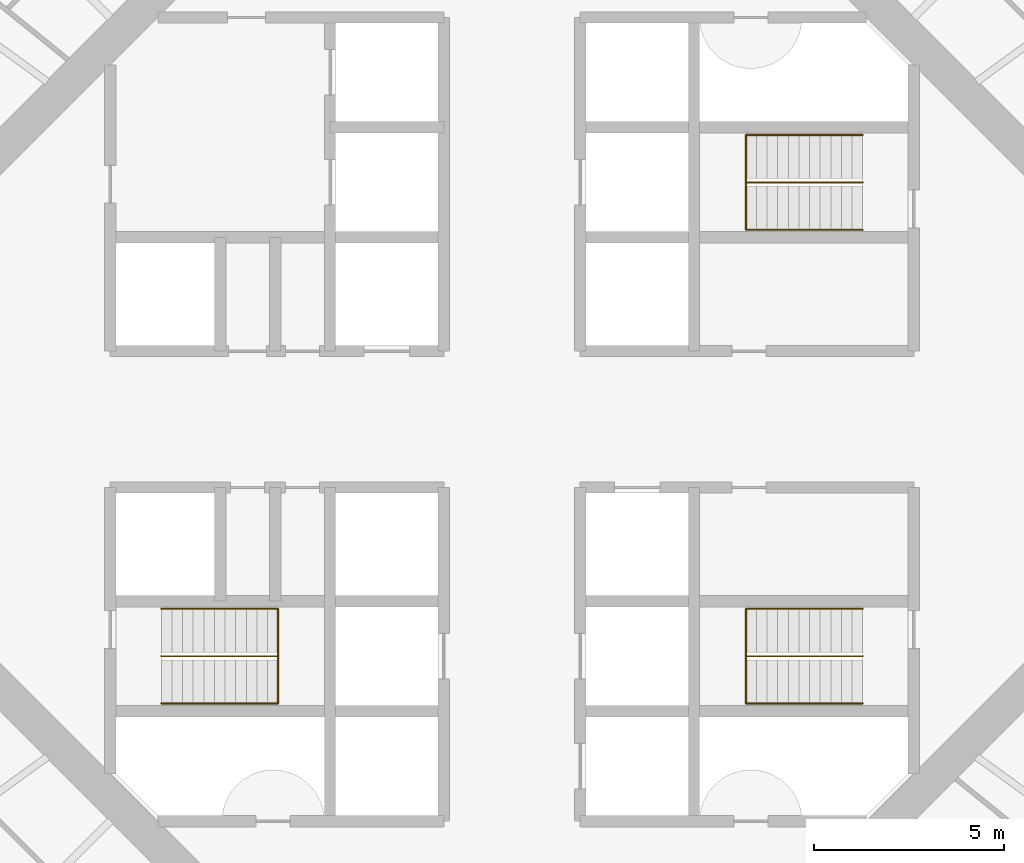
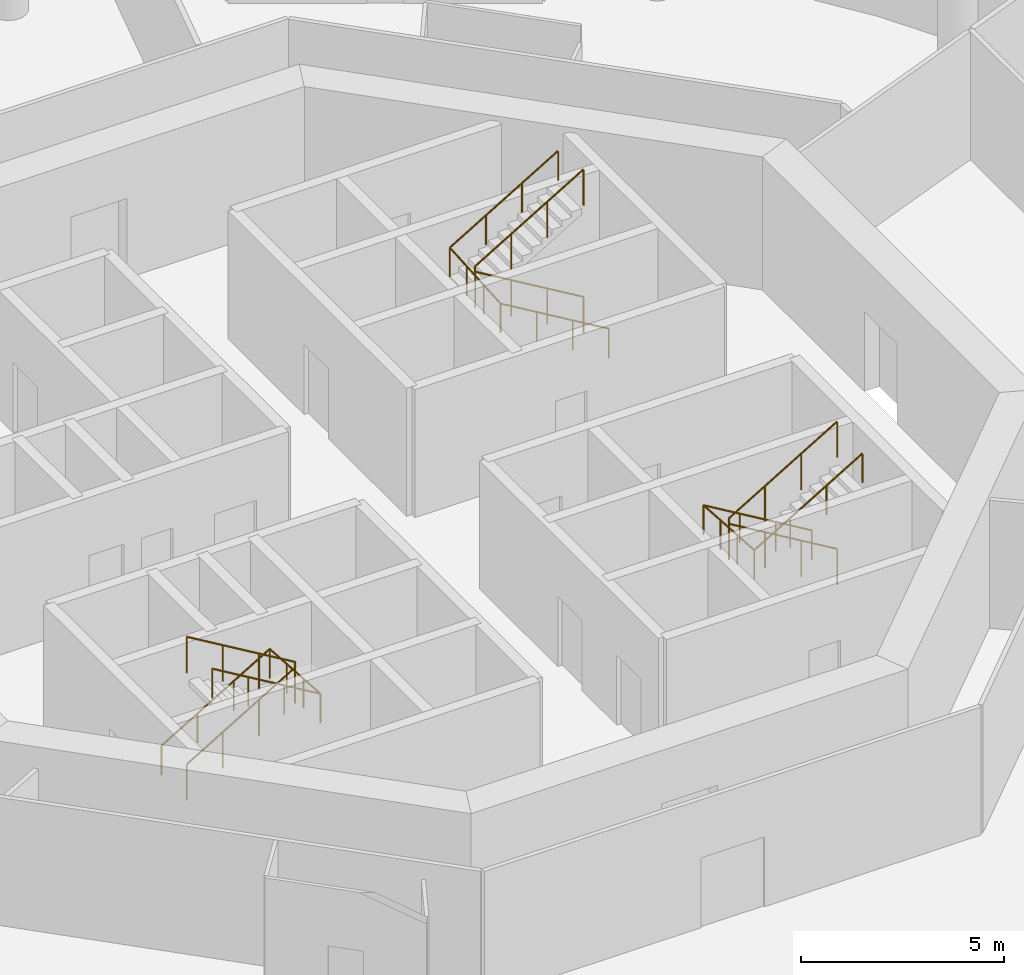
# One storey, part 12 of 12: 6 railings.
"""IFC4 building model written with IfcOpenShell, lengths in metres."""

from ifc_helpers import new_model, si_unit, direction, frame, origin, origin_2d, place, context, subcontext, project, spatial, circle, extrude, material, type_object, element, save


model = new_model("IFC4")

# Units and contexts
model_context = context("Model", 3, precision=1e-05, world=origin(), true_north=direction((0.0, 1.0)))
body_context = subcontext(model_context, "Body", "Model", "MODEL_VIEW")
ifc_project = project(units=[si_unit("LENGTHUNIT", "METRE"), si_unit("AREAUNIT", "SQUARE_METRE"), si_unit("VOLUMEUNIT", "CUBIC_METRE"), si_unit("PLANEANGLEUNIT", "RADIAN"), si_unit("MASSUNIT", "GRAM", prefix="KILO")], contexts=[model_context])

# Site, building, storey
site_placement = place(None, origin())
site = spatial("IfcSite", under=ifc_project, at=site_placement, CompositionType="ELEMENT")
building_placement = place(site_placement, origin())
building = spatial("IfcBuilding", under=site, at=building_placement, Name="Entoto Ring Tower", CompositionType="ELEMENT")
storey_placement = place(building_placement, frame((0.0, 0.0, 210.0)))
storey = spatial("IfcBuildingStorey", under=building, at=storey_placement, Name="L48", CompositionType="ELEMENT", Elevation=210.0)

# Railings
ifc_material_1 = material(Name="Steel S275", Category="steel")
railing_type_1 = type_object("IfcRailingType", Name="Stair guard 1100 mm steel", PredefinedType="GUARDRAIL", material=ifc_material_1)
railing_1_placement = place(storey_placement, frame((99.25, 86.25, 0.166748046875)))
element("IfcRailing", 1, at=railing_1_placement, inside=storey, type_object=railing_type_1, Name="Guard ST1", PredefinedType="GUARDRAIL", context=body_context, shape_type="SweptSolid", body=[
    extrude(circle(Radius=0.02392578125, at=origin_2d()), frame((0.0, 0.0, 1.076171875), z_axis=(-0.859308565015, 0.0, 0.511457515432), x_axis=(0.0, -1.0, 0.0)), (0.0, 0.0, 1.0), 3.58447265625),
    extrude(circle(Radius=0.02392578125, at=origin_2d()), frame((-3.080078125, 0.0, 2.9091796875), z_axis=(0.0, 0.0, 1.0), x_axis=(1.0, 0.0, 0.0)), (0.0, 0.0, 1.0), 0.166748046875),
    extrude(circle(Radius=0.02392578125, at=origin_2d()), frame((-3.080078125, 0.0, 3.076171875), z_axis=(0.859308565015, 0.0, 0.511457515432), x_axis=(0.0, 1.0, 0.0)), (0.0, 0.0, 1.0), 3.58447265625),
    extrude(circle(Radius=0.02099609375, at=origin_2d()), origin(), (0.0, 0.0, 1.0), 1.052001953125),
    extrude(circle(Radius=0.02099609375, at=origin_2d()), frame((-1.026611328125, 0.0, 0.611083984375)), (0.0, 0.0, 1.0), 1.052001953125),
    extrude(circle(Radius=0.02099609375, at=origin_2d()), frame((-2.053466796875, 0.0, 1.22216796875)), (0.0, 0.0, 1.0), 1.052001953125),
    extrude(circle(Radius=0.02099609375, at=origin_2d()), frame((-3.080078125, 0.0, 1.833251953125)), (0.0, 0.0, 1.0), 1.052001953125),
    extrude(circle(Radius=0.02099609375, at=origin_2d()), frame((-3.080078125, 0.0, 2.0)), (0.0, 0.0, 1.0), 1.052001953125),
    extrude(circle(Radius=0.02099609375, at=origin_2d()), frame((-2.053466796875, 0.0, 2.611083984375)), (0.0, 0.0, 1.0), 1.052001953125),
    extrude(circle(Radius=0.02099609375, at=origin_2d()), frame((-1.026611328125, 0.0, 3.22216796875)), (0.0, 0.0, 1.0), 1.052001953125),
    extrude(circle(Radius=0.02099609375, at=origin_2d()), frame((0.0, 0.0, 3.833251953125)), (0.0, 0.0, 1.0), 1.052001953125),
])
railing_2_placement = place(storey_placement, frame((80.75, 73.75, 0.166748046875)))
element("IfcRailing", 2, at=railing_2_placement, inside=storey, type_object=railing_type_1, Name="Guard ST2", PredefinedType="GUARDRAIL", context=body_context, shape_type="SweptSolid", body=[
    extrude(circle(Radius=0.02392578125, at=origin_2d()), frame((0.0, 0.0, 1.076171875), z_axis=(0.859308565015, 0.0, 0.511457515432), x_axis=(0.0, 1.0, 0.0)), (0.0, 0.0, 1.0), 3.58447265625),
    extrude(circle(Radius=0.02392578125, at=origin_2d()), frame((3.080078125, 0.0, 2.9091796875), z_axis=(0.0, 0.0, 1.0), x_axis=(1.0, 0.0, 0.0)), (0.0, 0.0, 1.0), 0.166748046875),
    extrude(circle(Radius=0.02392578125, at=origin_2d()), frame((3.080078125, 0.0, 3.076171875), z_axis=(-0.859308565015, 0.0, 0.511457515432), x_axis=(0.0, -1.0, 0.0)), (0.0, 0.0, 1.0), 3.58447265625),
    extrude(circle(Radius=0.02099609375, at=origin_2d()), origin(), (0.0, 0.0, 1.0), 1.052001953125),
    extrude(circle(Radius=0.02099609375, at=origin_2d()), frame((1.026611328125, 0.0, 0.611083984375)), (0.0, 0.0, 1.0), 1.052001953125),
    extrude(circle(Radius=0.02099609375, at=origin_2d()), frame((2.053466796875, 0.0, 1.22216796875)), (0.0, 0.0, 1.0), 1.052001953125),
    extrude(circle(Radius=0.02099609375, at=origin_2d()), frame((3.080078125, 0.0, 1.833251953125)), (0.0, 0.0, 1.0), 1.052001953125),
    extrude(circle(Radius=0.02099609375, at=origin_2d()), frame((3.080078125, 0.0, 2.0)), (0.0, 0.0, 1.0), 1.052001953125),
    extrude(circle(Radius=0.02099609375, at=origin_2d()), frame((2.053466796875, 0.0, 2.611083984375)), (0.0, 0.0, 1.0), 1.052001953125),
    extrude(circle(Radius=0.02099609375, at=origin_2d()), frame((1.026611328125, 0.0, 3.22216796875)), (0.0, 0.0, 1.0), 1.052001953125),
    extrude(circle(Radius=0.02099609375, at=origin_2d()), frame((0.0, 0.0, 3.833251953125)), (0.0, 0.0, 1.0), 1.052001953125),
])
railing_3_placement = place(storey_placement, frame((99.25, 73.75, 0.166748046875)))
element("IfcRailing", 3, at=railing_3_placement, inside=storey, type_object=railing_type_1, Name="Guard ST3", PredefinedType="GUARDRAIL", context=body_context, shape_type="SweptSolid", body=[
    extrude(circle(Radius=0.02392578125, at=origin_2d()), frame((0.0, 0.0, 1.076171875), z_axis=(-0.859308565015, 0.0, 0.511457515432), x_axis=(0.0, -1.0, 0.0)), (0.0, 0.0, 1.0), 3.58447265625),
    extrude(circle(Radius=0.02392578125, at=origin_2d()), frame((-3.080078125, 0.0, 2.9091796875), z_axis=(0.0, 0.0, 1.0), x_axis=(1.0, 0.0, 0.0)), (0.0, 0.0, 1.0), 0.166748046875),
    extrude(circle(Radius=0.02392578125, at=origin_2d()), frame((-3.080078125, 0.0, 3.076171875), z_axis=(0.859308565015, 0.0, 0.511457515432), x_axis=(0.0, 1.0, 0.0)), (0.0, 0.0, 1.0), 3.58447265625),
    extrude(circle(Radius=0.02099609375, at=origin_2d()), origin(), (0.0, 0.0, 1.0), 1.052001953125),
    extrude(circle(Radius=0.02099609375, at=origin_2d()), frame((-1.026611328125, 0.0, 0.611083984375)), (0.0, 0.0, 1.0), 1.052001953125),
    extrude(circle(Radius=0.02099609375, at=origin_2d()), frame((-2.053466796875, 0.0, 1.22216796875)), (0.0, 0.0, 1.0), 1.052001953125),
    extrude(circle(Radius=0.02099609375, at=origin_2d()), frame((-3.080078125, 0.0, 1.833251953125)), (0.0, 0.0, 1.0), 1.052001953125),
    extrude(circle(Radius=0.02099609375, at=origin_2d()), frame((-3.080078125, 0.0, 2.0)), (0.0, 0.0, 1.0), 1.052001953125),
    extrude(circle(Radius=0.02099609375, at=origin_2d()), frame((-2.053466796875, 0.0, 2.611083984375)), (0.0, 0.0, 1.0), 1.052001953125),
    extrude(circle(Radius=0.02099609375, at=origin_2d()), frame((-1.026611328125, 0.0, 3.22216796875)), (0.0, 0.0, 1.0), 1.052001953125),
    extrude(circle(Radius=0.02099609375, at=origin_2d()), frame((0.0, 0.0, 3.833251953125)), (0.0, 0.0, 1.0), 1.052001953125),
])
ifc_material_2 = material(Name="Steel S275", Category="steel")
railing_type_2 = type_object("IfcRailingType", Name="Stair handrail 900 mm steel", PredefinedType="HANDRAIL", material=ifc_material_2)
railing_4_placement = place(storey_placement, frame((99.25, 85.0, 0.166748046875)))
element("IfcRailing", 4, at=railing_4_placement, inside=storey, type_object=railing_type_2, Name="Handrail ST1", PredefinedType="HANDRAIL", context=body_context, shape_type="SweptSolid", body=[
    extrude(circle(Radius=0.02392578125, at=origin_2d()), frame((0.0, 0.0, 0.8759765625), z_axis=(-0.859308565015, 0.0, 0.511457515432), x_axis=(0.0, -1.0, 0.0)), (0.0, 0.0, 1.0), 3.58447265625),
    extrude(circle(Radius=0.02392578125, at=origin_2d()), frame((-3.080078125, 0.0, 2.708984375), z_axis=(0.0, 0.997783001586, 0.066551346688), x_axis=(-1.0, 0.0, 0.0)), (0.0, 0.0, 1.0), 2.505615234375),
    extrude(circle(Radius=0.02392578125, at=origin_2d()), frame((-3.080078125, 2.5, 2.8759765625), z_axis=(0.859308565015, 0.0, 0.511457515432), x_axis=(0.0, 1.0, 0.0)), (0.0, 0.0, 1.0), 3.58447265625),
    extrude(circle(Radius=0.02099609375, at=origin_2d()), origin(), (0.0, 0.0, 1.0), 0.851806640625),
    extrude(circle(Radius=0.02099609375, at=origin_2d()), frame((-1.026611328125, 0.0, 0.611083984375)), (0.0, 0.0, 1.0), 0.851806640625),
    extrude(circle(Radius=0.02099609375, at=origin_2d()), frame((-2.053466796875, 0.0, 1.22216796875)), (0.0, 0.0, 1.0), 0.851806640625),
    extrude(circle(Radius=0.02099609375, at=origin_2d()), frame((-3.080078125, 0.0, 1.833251953125)), (0.0, 0.0, 1.0), 0.851806640625),
    extrude(circle(Radius=0.02099609375, at=origin_2d()), frame((-3.080078125, 0.833251953125, 1.888916015625)), (0.0, 0.0, 1.0), 0.851806640625),
    extrude(circle(Radius=0.02099609375, at=origin_2d()), frame((-3.080078125, 1.666748046875, 1.9443359375)), (0.0, 0.0, 1.0), 0.851806640625),
    extrude(circle(Radius=0.02099609375, at=origin_2d()), frame((-3.080078125, 2.5, 2.0)), (0.0, 0.0, 1.0), 0.851806640625),
    extrude(circle(Radius=0.02099609375, at=origin_2d()), frame((-2.053466796875, 2.5, 2.611083984375)), (0.0, 0.0, 1.0), 0.851806640625),
    extrude(circle(Radius=0.02099609375, at=origin_2d()), frame((-1.026611328125, 2.5, 3.22216796875)), (0.0, 0.0, 1.0), 0.851806640625),
    extrude(circle(Radius=0.02099609375, at=origin_2d()), frame((0.0, 2.5, 3.833251953125)), (0.0, 0.0, 1.0), 0.851806640625),
])
railing_5_placement = place(storey_placement, frame((80.75, 75.0, 0.166748046875)))
element("IfcRailing", 5, at=railing_5_placement, inside=storey, type_object=railing_type_2, Name="Handrail ST2", PredefinedType="HANDRAIL", context=body_context, shape_type="SweptSolid", body=[
    extrude(circle(Radius=0.02392578125, at=origin_2d()), frame((0.0, 0.0, 0.8759765625), z_axis=(0.859308565015, 0.0, 0.511457515432), x_axis=(0.0, 1.0, 0.0)), (0.0, 0.0, 1.0), 3.58447265625),
    extrude(circle(Radius=0.02392578125, at=origin_2d()), frame((3.080078125, 0.0, 2.708984375), z_axis=(0.0, -0.997783001586, 0.066551346688), x_axis=(1.0, 0.0, 0.0)), (0.0, 0.0, 1.0), 2.505615234375),
    extrude(circle(Radius=0.02392578125, at=origin_2d()), frame((3.080078125, -2.5, 2.8759765625), z_axis=(-0.859308565015, 0.0, 0.511457515432), x_axis=(0.0, -1.0, 0.0)), (0.0, 0.0, 1.0), 3.58447265625),
    extrude(circle(Radius=0.02099609375, at=origin_2d()), origin(), (0.0, 0.0, 1.0), 0.851806640625),
    extrude(circle(Radius=0.02099609375, at=origin_2d()), frame((1.026611328125, 0.0, 0.611083984375)), (0.0, 0.0, 1.0), 0.851806640625),
    extrude(circle(Radius=0.02099609375, at=origin_2d()), frame((2.053466796875, 0.0, 1.22216796875)), (0.0, 0.0, 1.0), 0.851806640625),
    extrude(circle(Radius=0.02099609375, at=origin_2d()), frame((3.080078125, 0.0, 1.833251953125)), (0.0, 0.0, 1.0), 0.851806640625),
    extrude(circle(Radius=0.02099609375, at=origin_2d()), frame((3.080078125, -0.833251953125, 1.888916015625)), (0.0, 0.0, 1.0), 0.851806640625),
    extrude(circle(Radius=0.02099609375, at=origin_2d()), frame((3.080078125, -1.666748046875, 1.9443359375)), (0.0, 0.0, 1.0), 0.851806640625),
    extrude(circle(Radius=0.02099609375, at=origin_2d()), frame((3.080078125, -2.5, 2.0)), (0.0, 0.0, 1.0), 0.851806640625),
    extrude(circle(Radius=0.02099609375, at=origin_2d()), frame((2.053466796875, -2.5, 2.611083984375)), (0.0, 0.0, 1.0), 0.851806640625),
    extrude(circle(Radius=0.02099609375, at=origin_2d()), frame((1.026611328125, -2.5, 3.22216796875)), (0.0, 0.0, 1.0), 0.851806640625),
    extrude(circle(Radius=0.02099609375, at=origin_2d()), frame((0.0, -2.5, 3.833251953125)), (0.0, 0.0, 1.0), 0.851806640625),
])
railing_6_placement = place(storey_placement, frame((99.25, 75.0, 0.166748046875)))
element("IfcRailing", 6, at=railing_6_placement, inside=storey, type_object=railing_type_2, Name="Handrail ST3", PredefinedType="HANDRAIL", context=body_context, shape_type="SweptSolid", body=[
    extrude(circle(Radius=0.02392578125, at=origin_2d()), frame((0.0, 0.0, 0.8759765625), z_axis=(-0.859308565015, 0.0, 0.511457515432), x_axis=(0.0, -1.0, 0.0)), (0.0, 0.0, 1.0), 3.58447265625),
    extrude(circle(Radius=0.02392578125, at=origin_2d()), frame((-3.080078125, 0.0, 2.708984375), z_axis=(0.0, -0.997783001586, 0.066551346688), x_axis=(1.0, 0.0, 0.0)), (0.0, 0.0, 1.0), 2.505615234375),
    extrude(circle(Radius=0.02392578125, at=origin_2d()), frame((-3.080078125, -2.5, 2.8759765625), z_axis=(0.859308565015, 0.0, 0.511457515432), x_axis=(0.0, 1.0, 0.0)), (0.0, 0.0, 1.0), 3.58447265625),
    extrude(circle(Radius=0.02099609375, at=origin_2d()), origin(), (0.0, 0.0, 1.0), 0.851806640625),
    extrude(circle(Radius=0.02099609375, at=origin_2d()), frame((-1.026611328125, 0.0, 0.611083984375)), (0.0, 0.0, 1.0), 0.851806640625),
    extrude(circle(Radius=0.02099609375, at=origin_2d()), frame((-2.053466796875, 0.0, 1.22216796875)), (0.0, 0.0, 1.0), 0.851806640625),
    extrude(circle(Radius=0.02099609375, at=origin_2d()), frame((-3.080078125, 0.0, 1.833251953125)), (0.0, 0.0, 1.0), 0.851806640625),
    extrude(circle(Radius=0.02099609375, at=origin_2d()), frame((-3.080078125, -0.833251953125, 1.888916015625)), (0.0, 0.0, 1.0), 0.851806640625),
    extrude(circle(Radius=0.02099609375, at=origin_2d()), frame((-3.080078125, -1.666748046875, 1.9443359375)), (0.0, 0.0, 1.0), 0.851806640625),
    extrude(circle(Radius=0.02099609375, at=origin_2d()), frame((-3.080078125, -2.5, 2.0)), (0.0, 0.0, 1.0), 0.851806640625),
    extrude(circle(Radius=0.02099609375, at=origin_2d()), frame((-2.053466796875, -2.5, 2.611083984375)), (0.0, 0.0, 1.0), 0.851806640625),
    extrude(circle(Radius=0.02099609375, at=origin_2d()), frame((-1.026611328125, -2.5, 3.22216796875)), (0.0, 0.0, 1.0), 0.851806640625),
    extrude(circle(Radius=0.02099609375, at=origin_2d()), frame((0.0, -2.5, 3.833251953125)), (0.0, 0.0, 1.0), 0.851806640625),
])

save(model, "model.ifc")
